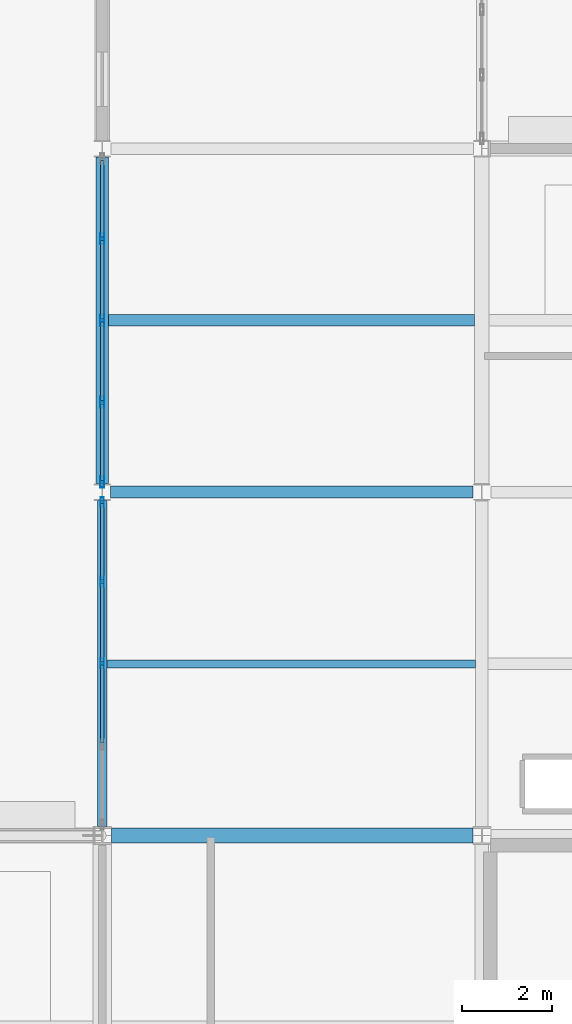
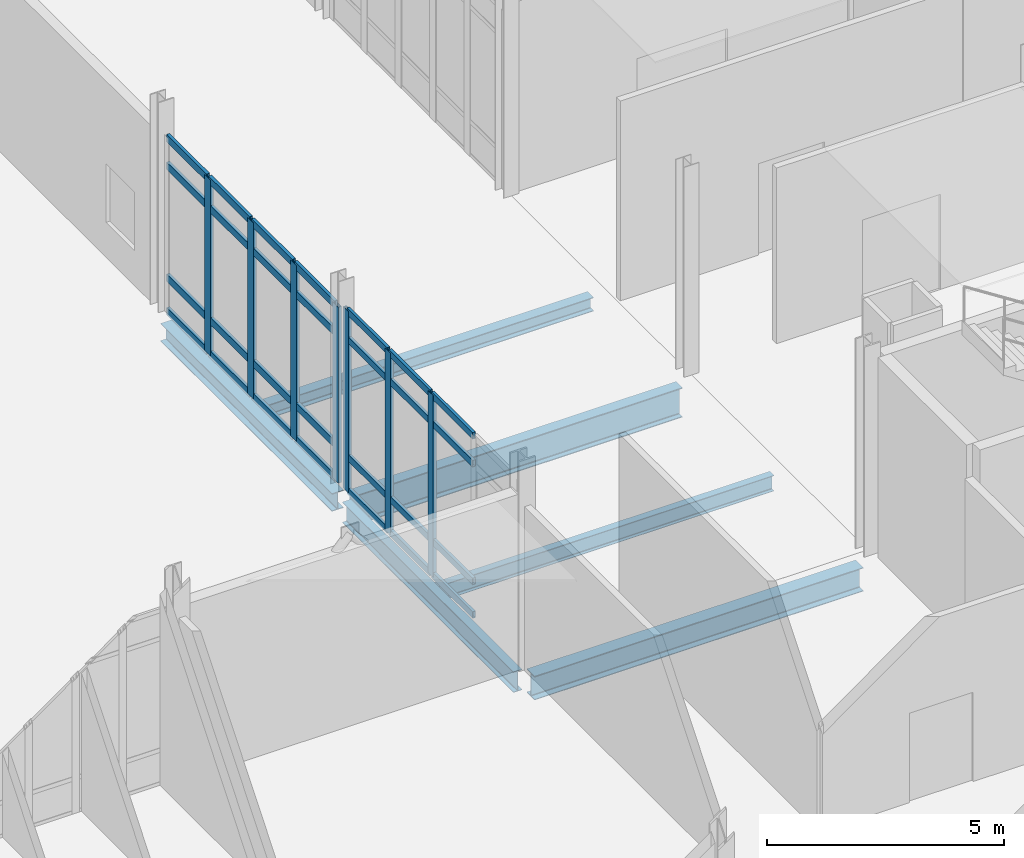
# One storey, part 34 of 229: 35 members, 6 beams, 2 elements without a shape of their own.
"""IFC4 building model written with IfcOpenShell, lengths in metres."""

from ifc_helpers import new_model, si_unit, direction, frame, origin, origin_2d, place, context, subcontext, project, spatial, hollow_rectangle, i_section, extrude, material, layer, layer_set, material_profile, profile_set, type_object, element, aggregate, save


model = new_model("IFC4")

# Units and contexts
model_context = context("Model", 3, precision=1e-05, world=origin(), true_north=direction((0.0, 1.0)))
body_context = subcontext(model_context, "Body", "Model", "MODEL_VIEW")
ifc_project = project(units=[si_unit("LENGTHUNIT", "METRE"), si_unit("AREAUNIT", "SQUARE_METRE"), si_unit("VOLUMEUNIT", "CUBIC_METRE"), si_unit("PLANEANGLEUNIT", "RADIAN"), si_unit("MASSUNIT", "GRAM", prefix="KILO")], contexts=[model_context])

# Site, building, storey
site_placement = place(None, origin())
site = spatial("IfcSite", under=ifc_project, at=site_placement, CompositionType="ELEMENT")
building_placement = place(site_placement, origin())
building = spatial("IfcBuilding", under=site, at=building_placement, Name="Calvrana Isthmian Art Gallery", CompositionType="ELEMENT")
storey_placement = place(building_placement, origin())
storey = spatial("IfcBuildingStorey", under=building, at=storey_placement, Name="L00", CompositionType="ELEMENT", Elevation=0.0)

# Beams
ifc_material_1 = material(Name="Steel ASTM A992 Gr 50", Category="steel")
ifc_material_profile_1 = material_profile(ifc_material_1, i_section(OverallWidth=0.279052734375, OverallDepth=0.4619140625, WebThickness=0.0107421875, FlangeThickness=0.017333984375, FilletRadius=0.02001953125, at=origin_2d()), Name="W18X76")
ifc_profile_set_1 = profile_set([ifc_material_profile_1], Name="Steel ASTM A992 Gr 50")
beam_type_1 = type_object("IfcBeamType", Name="BM-G-W18X76", PredefinedType="BEAM", material=ifc_profile_set_1)
beam_1_placement = place(storey_placement, frame((55.199951171875, 54.58642578125, -0.51611328125), z_axis=(0.0, 1.0, 0.0), x_axis=(-1.0, 0.0, 0.0)))
element("IfcBeam", 1, at=beam_1_placement, inside=storey, type_object=beam_type_1, Name="Girder Y L00 08/H-I", PredefinedType="BEAM", context=body_context, shape_type="SweptSolid", body=[
    extrude(i_section(OverallWidth=0.279052734375, OverallDepth=0.4619140625, WebThickness=0.0107421875, FlangeThickness=0.017333984375, FilletRadius=0.02001953125, at=origin_2d()), origin(), (0.0, 0.0, 1.0), 7.2255859375),
])
ifc_material_profile_2 = material_profile(ifc_material_1, i_section(OverallWidth=0.208984375, OverallDepth=0.532958984375, WebThickness=0.01025390625, FlangeThickness=0.015625, FilletRadius=0.02099609375, at=origin_2d()), Name="W21X62")
ifc_profile_set_2 = profile_set([ifc_material_profile_2], Name="Steel ASTM A992 Gr 50")
beam_type_2 = type_object("IfcBeamType", Name="BM-G-W21X62", PredefinedType="BEAM", material=ifc_profile_set_2)
beam_2_placement = place(storey_placement, frame((55.199951171875, 46.99951171875, -0.551513671875), z_axis=(0.0, 1.0, 0.0), x_axis=(-1.0, 0.0, 0.0)))
element("IfcBeam", 2, at=beam_2_placement, inside=storey, type_object=beam_type_2, Name="Girder Y L00 08/G-H", PredefinedType="BEAM", context=body_context, shape_type="SweptSolid", body=[
    extrude(i_section(OverallWidth=0.208984375, OverallDepth=0.532958984375, WebThickness=0.01025390625, FlangeThickness=0.015625, FilletRadius=0.02099609375, at=origin_2d()), origin(), (0.0, 0.0, 1.0), 7.2138671875),
])
ifc_material_profile_3 = material_profile(ifc_material_1, i_section(OverallWidth=0.324951171875, OverallDepth=0.612060546875, WebThickness=0.0126953125, FlangeThickness=0.01904296875, FilletRadius=0.02197265625, at=origin_2d()), Name="W24X104")
ifc_profile_set_3 = profile_set([ifc_material_profile_3], Name="Steel ASTM A992 Gr 50")
beam_type_3 = type_object("IfcBeamType", Name="BM-G-W24X104", PredefinedType="BEAM", material=ifc_profile_set_3)
beam_3_placement = place(storey_placement, frame((55.400390625, 46.800048828125, -0.591064453125), z_axis=(1.0, 0.0, 0.0), x_axis=(0.0, 1.0, 0.0)))
element("IfcBeam", 3, at=beam_3_placement, inside=storey, type_object=beam_type_3, Name="Girder X L00 08-09/G", PredefinedType="BEAM", context=body_context, shape_type="SweptSolid", body=[
    extrude(i_section(OverallWidth=0.324951171875, OverallDepth=0.612060546875, WebThickness=0.0126953125, FlangeThickness=0.01904296875, FilletRadius=0.02197265625, at=origin_2d()), origin(), (0.0, 0.0, 1.0), 8.0),
])
ifc_material_profile_4 = material_profile(ifc_material_1, i_section(OverallWidth=0.26708984375, OverallDepth=0.761962890625, WebThickness=0.014404296875, FlangeThickness=0.021484375, FilletRadius=0.02490234375, at=origin_2d()), Name="W30X116")
ifc_profile_set_4 = profile_set([ifc_material_profile_4], Name="Steel ASTM A992 Gr 50")
beam_type_4 = type_object("IfcBeamType", Name="BM-G-W30X116", PredefinedType="BEAM", material=ifc_profile_set_4)
beam_4_placement = place(storey_placement, frame((55.386474609375, 54.39990234375, -0.666015625), z_axis=(1.0, 0.0, 0.0), x_axis=(0.0, 1.0, 0.0)))
element("IfcBeam", 4, at=beam_4_placement, inside=storey, type_object=beam_type_4, Name="Girder X L00 08-09/H", PredefinedType="BEAM", context=body_context, shape_type="SweptSolid", body=[
    extrude(i_section(OverallWidth=0.26708984375, OverallDepth=0.761962890625, WebThickness=0.014404296875, FlangeThickness=0.021484375, FilletRadius=0.02490234375, at=origin_2d()), origin(), (0.0, 0.0, 1.0), 8.013916015625),
])
ifc_material_profile_5 = material_profile(ifc_material_1, i_section(OverallWidth=0.25390625, OverallDepth=0.35302734375, WebThickness=0.009521484375, FlangeThickness=0.016357421875, FilletRadius=0.01806640625, at=origin_2d()), Name="W14X61")
ifc_profile_set_5 = profile_set([ifc_material_profile_5], Name="Steel ASTM A992 Gr 50")
beam_type_5 = type_object("IfcBeamType", Name="BM-J-W14X61", PredefinedType="JOIST", material=ifc_profile_set_5)
beam_5_placement = place(storey_placement, frame((55.339599609375, 58.199951171875, -0.46142578125), z_axis=(1.0, 0.0, 0.0), x_axis=(0.0, 1.0, 0.0)))
element("IfcBeam", 5, at=beam_5_placement, inside=storey, type_object=beam_type_5, Name="Composite joist L00 bay 07-07", PredefinedType="JOIST", context=body_context, shape_type="SweptSolid", body=[
    extrude(i_section(OverallWidth=0.25390625, OverallDepth=0.35302734375, WebThickness=0.009521484375, FlangeThickness=0.016357421875, FilletRadius=0.01806640625, at=origin_2d()), origin(), (0.0, 0.0, 1.0), 8.097900390625),
])
ifc_material_profile_6 = material_profile(ifc_material_1, i_section(OverallWidth=0.177978515625, OverallDepth=0.404052734375, WebThickness=0.007568359375, FlangeThickness=0.010986328125, FilletRadius=0.01806640625, at=origin_2d()), Name="W16X36")
ifc_profile_set_6 = profile_set([ifc_material_profile_6], Name="Steel ASTM A992 Gr 50")
beam_type_6 = type_object("IfcBeamType", Name="BM-J-W16X36", PredefinedType="JOIST", material=ifc_profile_set_6)
beam_6_placement = place(storey_placement, frame((55.304443359375, 50.60009765625, -0.487060546875), z_axis=(1.0, 0.0, 0.0), x_axis=(0.0, 1.0, 0.0)))
element("IfcBeam", 6, at=beam_6_placement, inside=storey, type_object=beam_type_6, Name="Composite joist L00 bay 07-06", PredefinedType="JOIST", context=body_context, shape_type="SweptSolid", body=[
    extrude(i_section(OverallWidth=0.177978515625, OverallDepth=0.404052734375, WebThickness=0.007568359375, FlangeThickness=0.010986328125, FilletRadius=0.01806640625, at=origin_2d()), origin(), (0.0, 0.0, 1.0), 8.156005859375),
])

# Curtain wall, members
ifc_material_2 = material(Name="Anodized bronze aluminium 6063-T6", Category="aluminium")
ifc_layer_1 = layer(ifc_material_2, 0.179931640625, Name="Anodized bronze aluminium 6063-T6")
ifc_layer_set_1 = layer_set([ifc_layer_1], Name="Anodized bronze aluminium 6063-T6")
curtain_wall_type_1 = type_object("IfcCurtainWallType", Name="CW-STICK-072X47", PredefinedType="NOTDEFINED", material=ifc_layer_set_1)
curtain_wall_1_placement = place(storey_placement, origin())
curtain_wall_1 = element("IfcCurtainWall", 7, at=curtain_wall_1_placement, inside=storey, type_object=curtain_wall_type_1, Name="Curtain wall CW-058", PredefinedType="NOTDEFINED")
ifc_material_profile_7 = material_profile(ifc_material_2, hollow_rectangle(XDim=0.074951171875, YDim=0.219970703125, WallThickness=0.0048828125, at=origin_2d()), Name="CWM75X220")
ifc_profile_set_7 = profile_set([ifc_material_profile_7], Name="Anodized bronze aluminium 6063-T6")
member_type_1 = type_object("IfcMemberType", Name="CWM-CWM75X220", PredefinedType="MULLION", material=ifc_profile_set_7)
member_1_placement = place(storey_placement, frame((55.199951171875, 50.61083984375, 0.0), z_axis=(0.0, 0.0, 1.0), x_axis=(-1.0, 0.0, 0.0)))
member_1 = element("IfcMember", 8, at=member_1_placement, type_object=member_type_1, Name="CW-058 mullion 3", PredefinedType="MULLION", context=body_context, shape_type="SweptSolid", body=[
    extrude(hollow_rectangle(XDim=0.074951171875, YDim=0.219970703125, WallThickness=0.0048828125, at=origin_2d()), origin(), (0.0, 0.0, 1.0), 4.677978515625),
])
member_2_placement = place(storey_placement, frame((55.199951171875, 52.41455078125, 0.0), z_axis=(0.0, 0.0, 1.0), x_axis=(-1.0, 0.0, 0.0)))
member_2 = element("IfcMember", 9, at=member_2_placement, type_object=member_type_1, Name="CW-058 mullion 4", PredefinedType="MULLION", context=body_context, shape_type="SweptSolid", body=[
    extrude(hollow_rectangle(XDim=0.074951171875, YDim=0.219970703125, WallThickness=0.0048828125, at=origin_2d()), origin(), (0.0, 0.0, 1.0), 4.677978515625),
])
member_3_placement = place(storey_placement, frame((55.199951171875, 54.180908203125, 0.0), z_axis=(0.0, 0.0, 1.0), x_axis=(-1.0, 0.0, 0.0)))
member_3 = element("IfcMember", 10, at=member_3_placement, type_object=member_type_1, Name="CW-058 mullion 5", PredefinedType="MULLION", context=body_context, shape_type="SweptSolid", body=[
    extrude(hollow_rectangle(XDim=0.074951171875, YDim=0.219970703125, WallThickness=0.0048828125, at=origin_2d()), origin(), (0.0, 0.0, 1.0), 4.677978515625),
])

ifc_layer_2 = layer(ifc_material_2, 0.179931640625, Name="Anodized bronze aluminium 6063-T6")
ifc_layer_set_2 = layer_set([ifc_layer_2], Name="Anodized bronze aluminium 6063-T6")
curtain_wall_type_2 = type_object("IfcCurtainWallType", Name="CW-STICK-072X45", PredefinedType="NOTDEFINED", material=ifc_layer_set_2)
curtain_wall_2_placement = place(storey_placement, origin())
curtain_wall_2 = element("IfcCurtainWall", 11, at=curtain_wall_2_placement, inside=storey, type_object=curtain_wall_type_2, Name="Curtain wall CW-059", PredefinedType="NOTDEFINED")
ifc_material_profile_8 = material_profile(ifc_material_2, hollow_rectangle(XDim=0.080078125, YDim=0.25, WallThickness=0.005615234375, at=origin_2d()), Name="CWM80X250")
ifc_profile_set_8 = profile_set([ifc_material_profile_8], Name="Anodized bronze aluminium 6063-T6")
member_type_2 = type_object("IfcMemberType", Name="CWM-CWM80X250", PredefinedType="MULLION", material=ifc_profile_set_8)
member_4_placement = place(storey_placement, frame((55.199951171875, 54.62158203125, 0.0), z_axis=(0.0, 0.0, 1.0), x_axis=(-1.0, 0.0, 0.0)))
member_4 = element("IfcMember", 12, at=member_4_placement, type_object=member_type_2, Name="CW-059 mullion 1", PredefinedType="MULLION", context=body_context, shape_type="SweptSolid", body=[
    extrude(hollow_rectangle(XDim=0.080078125, YDim=0.25, WallThickness=0.005615234375, at=origin_2d()), origin(), (0.0, 0.0, 1.0), 4.528076171875),
])
member_5_placement = place(storey_placement, frame((55.199951171875, 56.39013671875, 0.0), z_axis=(0.0, 0.0, 1.0), x_axis=(-1.0, 0.0, 0.0)))
member_5 = element("IfcMember", 13, at=member_5_placement, type_object=member_type_2, Name="CW-059 mullion 2", PredefinedType="MULLION", context=body_context, shape_type="SweptSolid", body=[
    extrude(hollow_rectangle(XDim=0.080078125, YDim=0.25, WallThickness=0.005615234375, at=origin_2d()), origin(), (0.0, 0.0, 1.0), 4.528076171875),
])
member_6_placement = place(storey_placement, frame((55.199951171875, 58.19873046875, 0.0), z_axis=(0.0, 0.0, 1.0), x_axis=(-1.0, 0.0, 0.0)))
member_6 = element("IfcMember", 14, at=member_6_placement, type_object=member_type_2, Name="CW-059 mullion 3", PredefinedType="MULLION", context=body_context, shape_type="SweptSolid", body=[
    extrude(hollow_rectangle(XDim=0.080078125, YDim=0.25, WallThickness=0.005615234375, at=origin_2d()), origin(), (0.0, 0.0, 1.0), 4.528076171875),
])
member_7_placement = place(storey_placement, frame((55.199951171875, 60.00732421875, 0.0), z_axis=(0.0, 0.0, 1.0), x_axis=(-1.0, 0.0, 0.0)))
member_7 = element("IfcMember", 15, at=member_7_placement, type_object=member_type_2, Name="CW-059 mullion 4", PredefinedType="MULLION", context=body_context, shape_type="SweptSolid", body=[
    extrude(hollow_rectangle(XDim=0.080078125, YDim=0.25, WallThickness=0.005615234375, at=origin_2d()), origin(), (0.0, 0.0, 1.0), 4.528076171875),
])

# Member
ifc_material_profile_9 = material_profile(ifc_material_2, hollow_rectangle(XDim=0.070068359375, YDim=0.169921875, WallThickness=0.00439453125, at=origin_2d()), Name="CWT70X170")
ifc_profile_set_9 = profile_set([ifc_material_profile_9], Name="Anodized bronze aluminium 6063-T6")
member_type_3 = type_object("IfcMemberType", Name="CWT-CWT70X170", PredefinedType="USERDEFINED", material=ifc_profile_set_9)
member_8_placement = place(storey_placement, frame((55.199951171875, 48.844482421875, 0.034912109375), z_axis=(0.0, 1.0, 0.0), x_axis=(-1.0, 0.0, 0.0)))
member_8 = element("IfcMember", 16, at=member_8_placement, type_object=member_type_3, Name="CW-058 transom 2.1", ObjectType="TRANSOM", PredefinedType="USERDEFINED", context=body_context, shape_type="SweptSolid", body=[
    extrude(hollow_rectangle(XDim=0.070068359375, YDim=0.169921875, WallThickness=0.00439453125, at=origin_2d()), origin(), (0.0, 0.0, 1.0), 1.728759765625),
])

member_9_placement = place(storey_placement, frame((55.199951171875, 48.844482421875, 0.89990234375), z_axis=(0.0, 1.0, 0.0), x_axis=(-1.0, 0.0, 0.0)))
member_9 = element("IfcMember", 17, at=member_9_placement, type_object=member_type_3, Name="CW-058 transom 2.2", ObjectType="TRANSOM", PredefinedType="USERDEFINED", context=body_context, shape_type="SweptSolid", body=[
    extrude(hollow_rectangle(XDim=0.070068359375, YDim=0.169921875, WallThickness=0.00439453125, at=origin_2d()), origin(), (0.0, 0.0, 1.0), 1.728759765625),
])

member_10_placement = place(storey_placement, frame((55.199951171875, 48.844482421875, 3.927978515625), z_axis=(0.0, 1.0, 0.0), x_axis=(-1.0, 0.0, 0.0)))
member_10 = element("IfcMember", 18, at=member_10_placement, type_object=member_type_3, Name="CW-058 transom 2.3", ObjectType="TRANSOM", PredefinedType="USERDEFINED", context=body_context, shape_type="SweptSolid", body=[
    extrude(hollow_rectangle(XDim=0.070068359375, YDim=0.169921875, WallThickness=0.00439453125, at=origin_2d()), origin(), (0.0, 0.0, 1.0), 1.728759765625),
])

member_11_placement = place(storey_placement, frame((55.199951171875, 48.844482421875, 4.64306640625), z_axis=(0.0, 1.0, 0.0), x_axis=(-1.0, 0.0, 0.0)))
member_11 = element("IfcMember", 19, at=member_11_placement, type_object=member_type_3, Name="CW-058 transom 2.4", ObjectType="TRANSOM", PredefinedType="USERDEFINED", context=body_context, shape_type="SweptSolid", body=[
    extrude(hollow_rectangle(XDim=0.070068359375, YDim=0.169921875, WallThickness=0.00439453125, at=origin_2d()), origin(), (0.0, 0.0, 1.0), 1.728759765625),
])

member_12_placement = place(storey_placement, frame((55.199951171875, 50.648193359375, 0.034912109375), z_axis=(0.0, 1.0, 0.0), x_axis=(-1.0, 0.0, 0.0)))
member_12 = element("IfcMember", 20, at=member_12_placement, type_object=member_type_3, Name="CW-058 transom 3.1", ObjectType="TRANSOM", PredefinedType="USERDEFINED", context=body_context, shape_type="SweptSolid", body=[
    extrude(hollow_rectangle(XDim=0.070068359375, YDim=0.169921875, WallThickness=0.00439453125, at=origin_2d()), origin(), (0.0, 0.0, 1.0), 1.72900390625),
])

member_13_placement = place(storey_placement, frame((55.199951171875, 50.648193359375, 0.89990234375), z_axis=(0.0, 1.0, 0.0), x_axis=(-1.0, 0.0, 0.0)))
member_13 = element("IfcMember", 21, at=member_13_placement, type_object=member_type_3, Name="CW-058 transom 3.2", ObjectType="TRANSOM", PredefinedType="USERDEFINED", context=body_context, shape_type="SweptSolid", body=[
    extrude(hollow_rectangle(XDim=0.070068359375, YDim=0.169921875, WallThickness=0.00439453125, at=origin_2d()), origin(), (0.0, 0.0, 1.0), 1.72900390625),
])

member_14_placement = place(storey_placement, frame((55.199951171875, 50.648193359375, 3.927978515625), z_axis=(0.0, 1.0, 0.0), x_axis=(-1.0, 0.0, 0.0)))
member_14 = element("IfcMember", 22, at=member_14_placement, type_object=member_type_3, Name="CW-058 transom 3.3", ObjectType="TRANSOM", PredefinedType="USERDEFINED", context=body_context, shape_type="SweptSolid", body=[
    extrude(hollow_rectangle(XDim=0.070068359375, YDim=0.169921875, WallThickness=0.00439453125, at=origin_2d()), origin(), (0.0, 0.0, 1.0), 1.72900390625),
])

member_15_placement = place(storey_placement, frame((55.199951171875, 50.648193359375, 4.64306640625), z_axis=(0.0, 1.0, 0.0), x_axis=(-1.0, 0.0, 0.0)))
member_15 = element("IfcMember", 23, at=member_15_placement, type_object=member_type_3, Name="CW-058 transom 3.4", ObjectType="TRANSOM", PredefinedType="USERDEFINED", context=body_context, shape_type="SweptSolid", body=[
    extrude(hollow_rectangle(XDim=0.070068359375, YDim=0.169921875, WallThickness=0.00439453125, at=origin_2d()), origin(), (0.0, 0.0, 1.0), 1.72900390625),
])

member_16_placement = place(storey_placement, frame((55.199951171875, 52.4521484375, 0.034912109375), z_axis=(0.0, 1.0, 0.0), x_axis=(-1.0, 0.0, 0.0)))
member_16 = element("IfcMember", 24, at=member_16_placement, type_object=member_type_3, Name="CW-058 transom 4.1", ObjectType="TRANSOM", PredefinedType="USERDEFINED", context=body_context, shape_type="SweptSolid", body=[
    extrude(hollow_rectangle(XDim=0.070068359375, YDim=0.169921875, WallThickness=0.00439453125, at=origin_2d()), origin(), (0.0, 0.0, 1.0), 1.69140625),
])

member_17_placement = place(storey_placement, frame((55.199951171875, 52.4521484375, 0.89990234375), z_axis=(0.0, 1.0, 0.0), x_axis=(-1.0, 0.0, 0.0)))
member_17 = element("IfcMember", 25, at=member_17_placement, type_object=member_type_3, Name="CW-058 transom 4.2", ObjectType="TRANSOM", PredefinedType="USERDEFINED", context=body_context, shape_type="SweptSolid", body=[
    extrude(hollow_rectangle(XDim=0.070068359375, YDim=0.169921875, WallThickness=0.00439453125, at=origin_2d()), origin(), (0.0, 0.0, 1.0), 1.69140625),
])

member_18_placement = place(storey_placement, frame((55.199951171875, 52.4521484375, 3.927978515625), z_axis=(0.0, 1.0, 0.0), x_axis=(-1.0, 0.0, 0.0)))
member_18 = element("IfcMember", 26, at=member_18_placement, type_object=member_type_3, Name="CW-058 transom 4.3", ObjectType="TRANSOM", PredefinedType="USERDEFINED", context=body_context, shape_type="SweptSolid", body=[
    extrude(hollow_rectangle(XDim=0.070068359375, YDim=0.169921875, WallThickness=0.00439453125, at=origin_2d()), origin(), (0.0, 0.0, 1.0), 1.69140625),
])

member_19_placement = place(storey_placement, frame((55.199951171875, 52.4521484375, 4.64306640625), z_axis=(0.0, 1.0, 0.0), x_axis=(-1.0, 0.0, 0.0)))
member_19 = element("IfcMember", 27, at=member_19_placement, type_object=member_type_3, Name="CW-058 transom 4.4", ObjectType="TRANSOM", PredefinedType="USERDEFINED", context=body_context, shape_type="SweptSolid", body=[
    extrude(hollow_rectangle(XDim=0.070068359375, YDim=0.169921875, WallThickness=0.00439453125, at=origin_2d()), origin(), (0.0, 0.0, 1.0), 1.69140625),
])

aggregate(curtain_wall_1, [member_1, member_2, member_3, member_8, member_9, member_10, member_11, member_12, member_13, member_14, member_15, member_16, member_17, member_18, member_19])

ifc_material_profile_10 = material_profile(ifc_material_2, hollow_rectangle(XDim=0.074951171875, YDim=0.18994140625, WallThickness=0.00439453125, at=origin_2d()), Name="CWT75X190")
ifc_profile_set_10 = profile_set([ifc_material_profile_10], Name="Anodized bronze aluminium 6063-T6")
member_type_4 = type_object("IfcMemberType", Name="CWT-CWT75X190", PredefinedType="USERDEFINED", material=ifc_profile_set_10)
member_20_placement = place(storey_placement, frame((55.199951171875, 54.66162109375, 0.03759765625), z_axis=(0.0, 1.0, 0.0), x_axis=(-1.0, 0.0, 0.0)))
member_20 = element("IfcMember", 28, at=member_20_placement, type_object=member_type_4, Name="CW-059 transom 1.1", ObjectType="TRANSOM", PredefinedType="USERDEFINED", context=body_context, shape_type="SweptSolid", body=[
    extrude(hollow_rectangle(XDim=0.074951171875, YDim=0.18994140625, WallThickness=0.00439453125, at=origin_2d()), origin(), (0.0, 0.0, 1.0), 1.6884765625),
])

member_21_placement = place(storey_placement, frame((55.199951171875, 54.66162109375, 0.89990234375), z_axis=(0.0, 1.0, 0.0), x_axis=(-1.0, 0.0, 0.0)))
member_21 = element("IfcMember", 29, at=member_21_placement, type_object=member_type_4, Name="CW-059 transom 1.2", ObjectType="TRANSOM", PredefinedType="USERDEFINED", context=body_context, shape_type="SweptSolid", body=[
    extrude(hollow_rectangle(XDim=0.074951171875, YDim=0.18994140625, WallThickness=0.00439453125, at=origin_2d()), origin(), (0.0, 0.0, 1.0), 1.6884765625),
])

member_22_placement = place(storey_placement, frame((55.199951171875, 54.66162109375, 3.778076171875), z_axis=(0.0, 1.0, 0.0), x_axis=(-1.0, 0.0, 0.0)))
member_22 = element("IfcMember", 30, at=member_22_placement, type_object=member_type_4, Name="CW-059 transom 1.3", ObjectType="TRANSOM", PredefinedType="USERDEFINED", context=body_context, shape_type="SweptSolid", body=[
    extrude(hollow_rectangle(XDim=0.074951171875, YDim=0.18994140625, WallThickness=0.00439453125, at=origin_2d()), origin(), (0.0, 0.0, 1.0), 1.6884765625),
])

member_23_placement = place(storey_placement, frame((55.199951171875, 54.66162109375, 4.490478515625), z_axis=(0.0, 1.0, 0.0), x_axis=(-1.0, 0.0, 0.0)))
member_23 = element("IfcMember", 31, at=member_23_placement, type_object=member_type_4, Name="CW-059 transom 1.4", ObjectType="TRANSOM", PredefinedType="USERDEFINED", context=body_context, shape_type="SweptSolid", body=[
    extrude(hollow_rectangle(XDim=0.074951171875, YDim=0.18994140625, WallThickness=0.00439453125, at=origin_2d()), origin(), (0.0, 0.0, 1.0), 1.6884765625),
])

member_24_placement = place(storey_placement, frame((55.199951171875, 56.43017578125, 0.03759765625), z_axis=(0.0, 1.0, 0.0), x_axis=(-1.0, 0.0, 0.0)))
member_24 = element("IfcMember", 32, at=member_24_placement, type_object=member_type_4, Name="CW-059 transom 2.1", ObjectType="TRANSOM", PredefinedType="USERDEFINED", context=body_context, shape_type="SweptSolid", body=[
    extrude(hollow_rectangle(XDim=0.074951171875, YDim=0.18994140625, WallThickness=0.00439453125, at=origin_2d()), origin(), (0.0, 0.0, 1.0), 1.728515625),
])

member_25_placement = place(storey_placement, frame((55.199951171875, 56.43017578125, 0.89990234375), z_axis=(0.0, 1.0, 0.0), x_axis=(-1.0, 0.0, 0.0)))
member_25 = element("IfcMember", 33, at=member_25_placement, type_object=member_type_4, Name="CW-059 transom 2.2", ObjectType="TRANSOM", PredefinedType="USERDEFINED", context=body_context, shape_type="SweptSolid", body=[
    extrude(hollow_rectangle(XDim=0.074951171875, YDim=0.18994140625, WallThickness=0.00439453125, at=origin_2d()), origin(), (0.0, 0.0, 1.0), 1.728515625),
])

member_26_placement = place(storey_placement, frame((55.199951171875, 56.43017578125, 3.778076171875), z_axis=(0.0, 1.0, 0.0), x_axis=(-1.0, 0.0, 0.0)))
member_26 = element("IfcMember", 34, at=member_26_placement, type_object=member_type_4, Name="CW-059 transom 2.3", ObjectType="TRANSOM", PredefinedType="USERDEFINED", context=body_context, shape_type="SweptSolid", body=[
    extrude(hollow_rectangle(XDim=0.074951171875, YDim=0.18994140625, WallThickness=0.00439453125, at=origin_2d()), origin(), (0.0, 0.0, 1.0), 1.728515625),
])

member_27_placement = place(storey_placement, frame((55.199951171875, 56.43017578125, 4.490478515625), z_axis=(0.0, 1.0, 0.0), x_axis=(-1.0, 0.0, 0.0)))
member_27 = element("IfcMember", 35, at=member_27_placement, type_object=member_type_4, Name="CW-059 transom 2.4", ObjectType="TRANSOM", PredefinedType="USERDEFINED", context=body_context, shape_type="SweptSolid", body=[
    extrude(hollow_rectangle(XDim=0.074951171875, YDim=0.18994140625, WallThickness=0.00439453125, at=origin_2d()), origin(), (0.0, 0.0, 1.0), 1.728515625),
])

member_28_placement = place(storey_placement, frame((55.199951171875, 58.23876953125, 0.03759765625), z_axis=(0.0, 1.0, 0.0), x_axis=(-1.0, 0.0, 0.0)))
member_28 = element("IfcMember", 36, at=member_28_placement, type_object=member_type_4, Name="CW-059 transom 3.1", ObjectType="TRANSOM", PredefinedType="USERDEFINED", context=body_context, shape_type="SweptSolid", body=[
    extrude(hollow_rectangle(XDim=0.074951171875, YDim=0.18994140625, WallThickness=0.00439453125, at=origin_2d()), origin(), (0.0, 0.0, 1.0), 1.728515625),
])

member_29_placement = place(storey_placement, frame((55.199951171875, 58.23876953125, 0.89990234375), z_axis=(0.0, 1.0, 0.0), x_axis=(-1.0, 0.0, 0.0)))
member_29 = element("IfcMember", 37, at=member_29_placement, type_object=member_type_4, Name="CW-059 transom 3.2", ObjectType="TRANSOM", PredefinedType="USERDEFINED", context=body_context, shape_type="SweptSolid", body=[
    extrude(hollow_rectangle(XDim=0.074951171875, YDim=0.18994140625, WallThickness=0.00439453125, at=origin_2d()), origin(), (0.0, 0.0, 1.0), 1.728515625),
])

member_30_placement = place(storey_placement, frame((55.199951171875, 58.23876953125, 3.778076171875), z_axis=(0.0, 1.0, 0.0), x_axis=(-1.0, 0.0, 0.0)))
member_30 = element("IfcMember", 38, at=member_30_placement, type_object=member_type_4, Name="CW-059 transom 3.3", ObjectType="TRANSOM", PredefinedType="USERDEFINED", context=body_context, shape_type="SweptSolid", body=[
    extrude(hollow_rectangle(XDim=0.074951171875, YDim=0.18994140625, WallThickness=0.00439453125, at=origin_2d()), origin(), (0.0, 0.0, 1.0), 1.728515625),
])

member_31_placement = place(storey_placement, frame((55.199951171875, 58.23876953125, 4.490478515625), z_axis=(0.0, 1.0, 0.0), x_axis=(-1.0, 0.0, 0.0)))
member_31 = element("IfcMember", 39, at=member_31_placement, type_object=member_type_4, Name="CW-059 transom 3.4", ObjectType="TRANSOM", PredefinedType="USERDEFINED", context=body_context, shape_type="SweptSolid", body=[
    extrude(hollow_rectangle(XDim=0.074951171875, YDim=0.18994140625, WallThickness=0.00439453125, at=origin_2d()), origin(), (0.0, 0.0, 1.0), 1.728515625),
])

member_32_placement = place(storey_placement, frame((55.199951171875, 60.04736328125, 0.03759765625), z_axis=(0.0, 1.0, 0.0), x_axis=(-1.0, 0.0, 0.0)))
member_32 = element("IfcMember", 40, at=member_32_placement, type_object=member_type_4, Name="CW-059 transom 4.1", ObjectType="TRANSOM", PredefinedType="USERDEFINED", context=body_context, shape_type="SweptSolid", body=[
    extrude(hollow_rectangle(XDim=0.074951171875, YDim=0.18994140625, WallThickness=0.00439453125, at=origin_2d()), origin(), (0.0, 0.0, 1.0), 1.688720703125),
])

member_33_placement = place(storey_placement, frame((55.199951171875, 60.04736328125, 0.89990234375), z_axis=(0.0, 1.0, 0.0), x_axis=(-1.0, 0.0, 0.0)))
member_33 = element("IfcMember", 41, at=member_33_placement, type_object=member_type_4, Name="CW-059 transom 4.2", ObjectType="TRANSOM", PredefinedType="USERDEFINED", context=body_context, shape_type="SweptSolid", body=[
    extrude(hollow_rectangle(XDim=0.074951171875, YDim=0.18994140625, WallThickness=0.00439453125, at=origin_2d()), origin(), (0.0, 0.0, 1.0), 1.688720703125),
])

member_34_placement = place(storey_placement, frame((55.199951171875, 60.04736328125, 3.778076171875), z_axis=(0.0, 1.0, 0.0), x_axis=(-1.0, 0.0, 0.0)))
member_34 = element("IfcMember", 42, at=member_34_placement, type_object=member_type_4, Name="CW-059 transom 4.3", ObjectType="TRANSOM", PredefinedType="USERDEFINED", context=body_context, shape_type="SweptSolid", body=[
    extrude(hollow_rectangle(XDim=0.074951171875, YDim=0.18994140625, WallThickness=0.00439453125, at=origin_2d()), origin(), (0.0, 0.0, 1.0), 1.688720703125),
])

member_35_placement = place(storey_placement, frame((55.199951171875, 60.04736328125, 4.490478515625), z_axis=(0.0, 1.0, 0.0), x_axis=(-1.0, 0.0, 0.0)))
member_35 = element("IfcMember", 43, at=member_35_placement, type_object=member_type_4, Name="CW-059 transom 4.4", ObjectType="TRANSOM", PredefinedType="USERDEFINED", context=body_context, shape_type="SweptSolid", body=[
    extrude(hollow_rectangle(XDim=0.074951171875, YDim=0.18994140625, WallThickness=0.00439453125, at=origin_2d()), origin(), (0.0, 0.0, 1.0), 1.688720703125),
])

aggregate(curtain_wall_2, [member_4, member_5, member_6, member_7, member_20, member_21, member_22, member_23, member_24, member_25, member_26, member_27, member_28, member_29, member_30, member_31, member_32, member_33, member_34, member_35])

save(model, "model.ifc")
